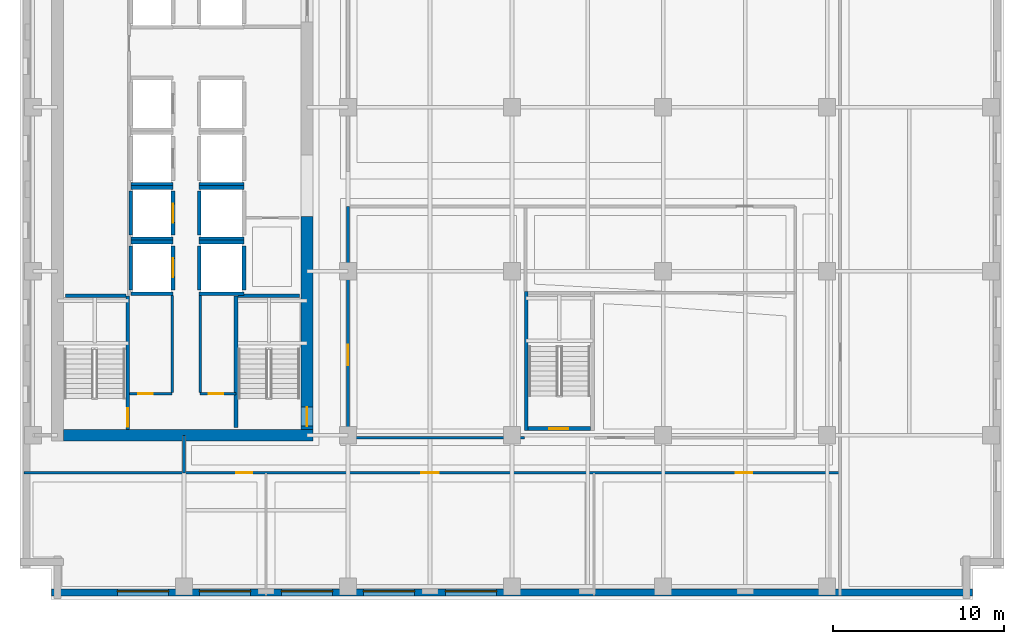
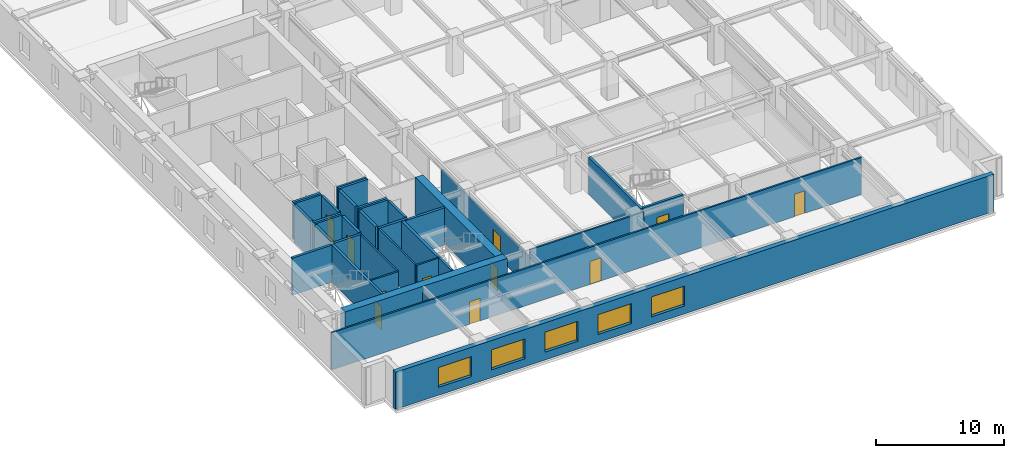
# One storey, part 4 of 12: 34 walls, 11 doors, 5 windows, 16 openings.
"""IFC4 building model written with IfcOpenShell, lengths in metres."""

from ifc_helpers import new_model, si_unit, direction, frame, frame_2d, origin, place, context, subcontext, project, spatial, rectangle, extrude, material, layer, layer_set, type_object, element, fill, save


model = new_model("IFC4")

# Units and contexts
model_context = context("Model", 3, precision=1e-05, world=origin(), true_north=direction((0.0, 1.0)))
body_context = subcontext(model_context, "Body", "Model", "MODEL_VIEW")
ifc_project = project(units=[si_unit("LENGTHUNIT", "METRE"), si_unit("AREAUNIT", "SQUARE_METRE"), si_unit("VOLUMEUNIT", "CUBIC_METRE"), si_unit("PLANEANGLEUNIT", "RADIAN"), si_unit("MASSUNIT", "GRAM", prefix="KILO")], contexts=[model_context])

# Site, building, storey
site_placement = place(None, origin())
site = spatial("IfcSite", under=ifc_project, at=site_placement, CompositionType="ELEMENT")
building_placement = place(site_placement, origin())
building = spatial("IfcBuilding", under=site, at=building_placement, Name="Norrvale University Quadrangle", CompositionType="ELEMENT")
storey_placement = place(building_placement, frame((0.0, 0.0, 139.39990234375)))
storey = spatial("IfcBuildingStorey", under=building, at=storey_placement, Name="L35", CompositionType="ELEMENT", Elevation=139.39990234375)

# Wall, openings, windows
ifc_material_1 = material(Name="Buff Norman Clay Brick Masonry", Category="masonry")
ifc_layer_1 = layer(ifc_material_1, 0.419921875, Name="Buff Norman Clay Brick Masonry")
ifc_layer_set_1 = layer_set([ifc_layer_1], Name="Buff Norman Clay Brick Masonry")
wall_type_1 = type_object("IfcWallType", Name="Wall Buff Brick 420", PredefinedType="SOLIDWALL", material=ifc_layer_set_1)
wall_1_placement = place(storey_placement, frame((1.840087890625, 0.389892578125, 0.0), z_axis=(0.0, 0.0, 1.0), x_axis=(1.0, 0.0, 0.0)))
wall_1 = element("IfcWall", 1, at=wall_1_placement, inside=storey, type_object=wall_type_1, Name="Exterior Brick Facade Wall L35-01.1", PredefinedType="SOLIDWALL", context=body_context, shape_type="SweptSolid", body=[
    extrude(rectangle(XDim=53.919921875, YDim=0.419921875, at=frame_2d((26.9599609375, 0.0))), origin(), (0.0, 0.0, 1.0), 3.5400390625),
])
opening_1_placement = place(wall_1_placement, frame((3.860107421875, 0.0, 0.75)))
opening_1 = element("IfcOpeningElement", 2, at=opening_1_placement, cuts=wall_1, Name="Opening W08", PredefinedType="OPENING", context=body_context, shape_type="SweptSolid", body=[
    extrude(rectangle(XDim=3.0, YDim=1.89990234375, at=frame_2d((1.5, 0.949951171875))), frame((0.0, 0.221923828125, 0.0), z_axis=(0.0, -1.0, 0.0), x_axis=(1.0, 0.0, 0.0)), (0.0, 0.0, 1.0), 0.44384765625),
])
opening_2_placement = place(wall_1_placement, frame((8.659912109375, 0.0, 0.75)))
opening_2 = element("IfcOpeningElement", 3, at=opening_2_placement, cuts=wall_1, Name="Opening W08", PredefinedType="OPENING", context=body_context, shape_type="SweptSolid", body=[
    extrude(rectangle(XDim=3.0, YDim=1.89990234375, at=frame_2d((1.5, 0.949951171875))), frame((0.0, 0.221923828125, 0.0), z_axis=(0.0, -1.0, 0.0), x_axis=(1.0, 0.0, 0.0)), (0.0, 0.0, 1.0), 0.44384765625),
])
opening_3_placement = place(wall_1_placement, frame((13.4599609375, 0.0, 0.75)))
opening_3 = element("IfcOpeningElement", 4, at=opening_3_placement, cuts=wall_1, Name="Opening W08", PredefinedType="OPENING", context=body_context, shape_type="SweptSolid", body=[
    extrude(rectangle(XDim=3.0, YDim=1.89990234375, at=frame_2d((1.5, 0.949951171875))), frame((0.0, 0.221923828125, 0.0), z_axis=(0.0, -1.0, 0.0), x_axis=(1.0, 0.0, 0.0)), (0.0, 0.0, 1.0), 0.44384765625),
])
opening_4_placement = place(wall_1_placement, frame((18.260009765625, 0.0, 0.75)))
opening_4 = element("IfcOpeningElement", 5, at=opening_4_placement, cuts=wall_1, Name="Opening W08", PredefinedType="OPENING", context=body_context, shape_type="SweptSolid", body=[
    extrude(rectangle(XDim=3.0, YDim=1.89990234375, at=frame_2d((1.5, 0.949951171875))), frame((0.0, 0.221923828125, 0.0), z_axis=(0.0, -1.0, 0.0), x_axis=(1.0, 0.0, 0.0)), (0.0, 0.0, 1.0), 0.44384765625),
])
opening_5_placement = place(wall_1_placement, frame((23.06005859375, 0.0, 0.75)))
opening_5 = element("IfcOpeningElement", 6, at=opening_5_placement, cuts=wall_1, Name="Opening W08", PredefinedType="OPENING", context=body_context, shape_type="SweptSolid", body=[
    extrude(rectangle(XDim=3.0, YDim=1.89990234375, at=frame_2d((1.5, 0.949951171875))), frame((0.0, 0.221923828125, 0.0), z_axis=(0.0, -1.0, 0.0), x_axis=(1.0, 0.0, 0.0)), (0.0, 0.0, 1.0), 0.44384765625),
])
ifc_material_2 = material(Name="Triple Low-E Argon Glazing", Category="glass")
window_type = type_object("IfcWindowType", Name="Window Lounge 3000x2500", PartitioningType="TRIPLE_PANEL_VERTICAL", PredefinedType="WINDOW", material=ifc_material_2)
window_1_placement = place(opening_1_placement, origin())
window_1 = element("IfcWindow", 7, at=window_1_placement, inside=storey, type_object=window_type, Name="Window Lounge 3000x2500 WIN-L35-E01-1-01", OverallHeight=1.89990234375, OverallWidth=3.0, PartitioningType="TRIPLE_PANEL_VERTICAL", PredefinedType="WINDOW", context=body_context, shape_type="SweptSolid", body=[
    extrude(rectangle(XDim=3.0, YDim=1.89990234375, at=frame_2d((1.5, 0.949951171875))), frame((0.0, 0.110107421875, 0.0), z_axis=(0.0, -1.0, 0.0), x_axis=(1.0, 0.0, 0.0)), (0.0, 0.0, 1.0), 0.06005859375),
])
fill(opening_1, window_1)
window_2_placement = place(opening_2_placement, origin())
window_2 = element("IfcWindow", 8, at=window_2_placement, inside=storey, type_object=window_type, Name="Window Lounge 3000x2500 WIN-L35-E01-1-02", OverallHeight=1.89990234375, OverallWidth=3.0, PartitioningType="TRIPLE_PANEL_VERTICAL", PredefinedType="WINDOW", context=body_context, shape_type="SweptSolid", body=[
    extrude(rectangle(XDim=3.0, YDim=1.89990234375, at=frame_2d((1.5, 0.949951171875))), frame((0.0, 0.110107421875, 0.0), z_axis=(0.0, -1.0, 0.0), x_axis=(1.0, 0.0, 0.0)), (0.0, 0.0, 1.0), 0.06005859375),
])
fill(opening_2, window_2)
window_3_placement = place(opening_3_placement, origin())
window_3 = element("IfcWindow", 9, at=window_3_placement, inside=storey, type_object=window_type, Name="Window Lounge 3000x2500 WIN-L35-E01-1-03", OverallHeight=1.89990234375, OverallWidth=3.0, PartitioningType="TRIPLE_PANEL_VERTICAL", PredefinedType="WINDOW", context=body_context, shape_type="SweptSolid", body=[
    extrude(rectangle(XDim=3.0, YDim=1.89990234375, at=frame_2d((1.5, 0.949951171875))), frame((0.0, 0.110107421875, 0.0), z_axis=(0.0, -1.0, 0.0), x_axis=(1.0, 0.0, 0.0)), (0.0, 0.0, 1.0), 0.06005859375),
])
fill(opening_3, window_3)
window_4_placement = place(opening_4_placement, origin())
window_4 = element("IfcWindow", 10, at=window_4_placement, inside=storey, type_object=window_type, Name="Window Lounge 3000x2500 WIN-L35-E01-1-04", OverallHeight=1.89990234375, OverallWidth=3.0, PartitioningType="TRIPLE_PANEL_VERTICAL", PredefinedType="WINDOW", context=body_context, shape_type="SweptSolid", body=[
    extrude(rectangle(XDim=3.0, YDim=1.89990234375, at=frame_2d((1.5, 0.949951171875))), frame((0.0, 0.110107421875, 0.0), z_axis=(0.0, -1.0, 0.0), x_axis=(1.0, 0.0, 0.0)), (0.0, 0.0, 1.0), 0.06005859375),
])
fill(opening_4, window_4)
window_5_placement = place(opening_5_placement, origin())
window_5 = element("IfcWindow", 11, at=window_5_placement, inside=storey, type_object=window_type, Name="Window Lounge 3000x2500 WIN-L35-E01-1-05", OverallHeight=1.89990234375, OverallWidth=3.0, PartitioningType="TRIPLE_PANEL_VERTICAL", PredefinedType="WINDOW", context=body_context, shape_type="SweptSolid", body=[
    extrude(rectangle(XDim=3.0, YDim=1.89990234375, at=frame_2d((1.5, 0.949951171875))), frame((0.0, 0.110107421875, 0.0), z_axis=(0.0, -1.0, 0.0), x_axis=(1.0, 0.0, 0.0)), (0.0, 0.0, 1.0), 0.06005859375),
])
fill(opening_5, window_5)

# Wall
ifc_material_3 = material(Name="Concrete C60/75", Category="concrete")
ifc_layer_2 = layer(ifc_material_3, 0.699951171875, Name="Concrete C60/75")
ifc_layer_set_2 = layer_set([ifc_layer_2], Name="Concrete C60/75")
wall_type_2 = type_object("IfcWallType", Name="Wall Core 700", PredefinedType="SHEAR", material=ifc_layer_set_2)
wall_2_placement = place(storey_placement, frame((2.550048828125, 9.60009765625, 0.0), z_axis=(0.0, 0.0, 1.0), x_axis=(1.0, 0.0, 0.0)))
element("IfcWall", 12, at=wall_2_placement, inside=storey, type_object=wall_type_2, Name="Tower Core Shear Wall L35-S", PredefinedType="SHEAR", context=body_context, shape_type="SweptSolid", body=[
    extrude(rectangle(XDim=14.599853515625, YDim=0.699951171875, at=frame_2d((7.2998046875, 0.0))), origin(), (0.0, 0.0, 1.0), 3.5400390625),
])

# Wall, opening, door
wall_3_placement = place(storey_placement, frame((16.800048828125, 9.949951171875, 0.0), z_axis=(0.0, 0.0, 1.0), x_axis=(0.0, 1.0, 0.0)))
wall_3 = element("IfcWall", 13, at=wall_3_placement, inside=storey, type_object=wall_type_2, Name="Tower Core Shear Wall L35-E1", PredefinedType="SHEAR", context=body_context, shape_type="SweptSolid", body=[
    extrude(rectangle(XDim=12.449951171875, YDim=0.699951171875, at=frame_2d((6.22509765625, 0.0))), origin(), (0.0, 0.0, 1.0), 3.5400390625),
])
opening_6_placement = place(wall_3_placement, frame((0.18994140625, 0.0, 0.0)))
opening_6 = element("IfcOpeningElement", 14, at=opening_6_placement, cuts=wall_3, Name="Opening D02", PredefinedType="OPENING", context=body_context, shape_type="SweptSolid", body=[
    extrude(rectangle(XDim=1.10009765625, YDim=2.199951171875, at=frame_2d((0.550048828125, 1.10009765625))), frame((0.0, 0.362060546875, 0.0), z_axis=(0.0, -1.0, 0.0), x_axis=(1.0, 0.0, 0.0)), (0.0, 0.0, 1.0), 0.723876953125),
])
ifc_material_4 = material(Name="Hollow Steel 350W Fire Door", Category="steel")
door_type_1 = type_object("IfcDoorType", Name="Door Stair Exit 1100x2200", OperationType="NOTDEFINED", PredefinedType="DOOR", material=ifc_material_4)
door_1_placement = place(opening_6_placement, origin())
door_1 = element("IfcDoor", 15, at=door_1_placement, inside=storey, type_object=door_type_1, Name="Door Stair Exit 1100x2200 DR-L35-ST03", OperationType="SINGLE_SWING_LEFT", OverallHeight=2.199951171875, OverallWidth=1.10009765625, PredefinedType="DOOR", context=body_context, shape_type="SweptSolid", body=[
    extrude(rectangle(XDim=1.10009765625, YDim=2.199951171875, at=frame_2d((0.550048828125, 1.10009765625))), frame((0.0, 0.02490234375, 0.0), z_axis=(0.0, -1.0, 0.0), x_axis=(1.0, 0.0, 0.0)), (0.0, 0.0, 1.0), 0.050048828125),
])
fill(opening_6, door_1)

ifc_material_5 = material(Name="Fire-Rated Gypsum Stud Partition")
ifc_layer_3 = layer(ifc_material_5, 0.14990234375, Name="Fire-Rated Gypsum Stud Partition")
ifc_layer_set_3 = layer_set([ifc_layer_3], Name="Fire-Rated Gypsum Stud Partition")
wall_type_3 = type_object("IfcWallType", Name="Wall Gypsum Corridor 150", PredefinedType="PARTITIONING", material=ifc_layer_set_3)
wall_4_placement = place(storey_placement, frame((6.419921875, 12.02001953125, 0.0), z_axis=(0.0, 0.0, 1.0), x_axis=(1.0, 0.0, 0.0)))
wall_4 = element("IfcWall", 16, at=wall_4_placement, inside=storey, type_object=wall_type_3, Name="Interior Partition WL-L35-SC-NL", PredefinedType="PARTITIONING", context=body_context, shape_type="SweptSolid", body=[
    extrude(rectangle(XDim=2.47998046875, YDim=0.14990234375, at=frame_2d((1.239990234375, 0.0))), origin(), (0.0, 0.0, 1.0), 3.5400390625),
])
opening_7_placement = place(wall_4_placement, frame((0.5, 0.0, 0.0)))
opening_7 = element("IfcOpeningElement", 17, at=opening_7_placement, cuts=wall_4, Name="Opening D10", PredefinedType="OPENING", context=body_context, shape_type="SweptSolid", body=[
    extrude(rectangle(XDim=0.85009765625, YDim=2.10009765625, at=frame_2d((0.425048828125, 1.050048828125))), frame((0.0, 0.0869140625, 0.0), z_axis=(0.0, -1.0, 0.0), x_axis=(1.0, 0.0, 0.0)), (0.0, 0.0, 1.0), 0.173828125),
])
ifc_material_6 = material(Name="Hollow Steel 350W Riser Fire Door", Category="steel")
door_type_2 = type_object("IfcDoorType", Name="Door Riser 850x2100", OperationType="NOTDEFINED", PredefinedType="DOOR", material=ifc_material_6)
door_2_placement = place(opening_7_placement, origin())
door_2 = element("IfcDoor", 18, at=door_2_placement, inside=storey, type_object=door_type_2, Name="Door Riser 850x2100 DR-L35-ELEC", OperationType="SINGLE_SWING_LEFT", OverallHeight=2.10009765625, OverallWidth=0.85009765625, PredefinedType="DOOR", context=body_context, shape_type="SweptSolid", body=[
    extrude(rectangle(XDim=0.85009765625, YDim=2.10009765625, at=frame_2d((0.425048828125, 1.050048828125))), frame((0.0, 0.02490234375, 0.0), z_axis=(0.0, -1.0, 0.0), x_axis=(1.0, 0.0, 0.0)), (0.0, 0.0, 1.0), 0.050048828125),
])
fill(opening_7, door_2)

wall_5_placement = place(storey_placement, frame((10.550048828125, 12.02001953125, 0.0), z_axis=(0.0, 0.0, 1.0), x_axis=(1.0, 0.0, 0.0)))
wall_5 = element("IfcWall", 19, at=wall_5_placement, inside=storey, type_object=wall_type_3, Name="Interior Partition WL-L35-SC-NR", PredefinedType="PARTITIONING", context=body_context, shape_type="SweptSolid", body=[
    extrude(rectangle(XDim=2.079833984375, YDim=0.14990234375, at=frame_2d((1.0400390625, 0.0))), origin(), (0.0, 0.0, 1.0), 3.5400390625),
])
opening_8_placement = place(wall_5_placement, frame((0.5, 0.0, 0.0)))
opening_8 = element("IfcOpeningElement", 20, at=opening_8_placement, cuts=wall_5, Name="Opening D10", PredefinedType="OPENING", context=body_context, shape_type="SweptSolid", body=[
    extrude(rectangle(XDim=0.85009765625, YDim=2.10009765625, at=frame_2d((0.425048828125, 1.050048828125))), frame((0.0, 0.0869140625, 0.0), z_axis=(0.0, -1.0, 0.0), x_axis=(1.0, 0.0, 0.0)), (0.0, 0.0, 1.0), 0.173828125),
])
door_3_placement = place(opening_8_placement, origin())
door_3 = element("IfcDoor", 21, at=door_3_placement, inside=storey, type_object=door_type_2, Name="Door Riser 850x2100 DR-L35-IDF", OperationType="SINGLE_SWING_RIGHT", OverallHeight=2.10009765625, OverallWidth=0.85009765625, PredefinedType="DOOR", context=body_context, shape_type="SweptSolid", body=[
    extrude(rectangle(XDim=0.85009765625, YDim=2.10009765625, at=frame_2d((0.425048828125, 1.050048828125))), frame((0.0, 0.02490234375, 0.0), z_axis=(0.0, -1.0, 0.0), x_axis=(1.0, 0.0, 0.0)), (0.0, 0.0, 1.0), 0.050048828125),
])
fill(opening_8, door_3)

# Walls
for number, where, z_axis, x_axis, name in (
    (22, (8.89990234375, 12.094970703125, 0.0), (0.0, 0.0, 1.0), (0.0, 1.0, 0.0), "Interior Partition WL-L35-SC-WL"),
    (23, (10.550048828125, 12.094970703125, 0.0), (0.0, 0.0, 1.0), (0.0, 1.0, 0.0), "Interior Partition WL-L35-SC-WR"),
):
    element("IfcWall", number, at=place(storey_placement, frame(where, z_axis=z_axis, x_axis=x_axis)), inside=storey, type_object=wall_type_3, Name=name, PredefinedType="PARTITIONING", context=body_context, shape_type="SweptSolid", body=[
        extrude(rectangle(XDim=5.679931640625, YDim=0.14990234375, at=frame_2d((2.83984375, 0.0))), origin(), (0.0, 0.0, 1.0), 3.5400390625),
    ])
wall_6_placement = place(storey_placement, frame((9.60009765625, 7.39990234375, 0.0), z_axis=(0.0, 0.0, 1.0), x_axis=(0.0, 1.0, 0.0)))
element("IfcWall", 24, at=wall_6_placement, inside=storey, type_object=wall_type_3, Name="Interior Partition WL-L35-CSW-END", PredefinedType="PARTITIONING", context=body_context, shape_type="SweptSolid", body=[
    extrude(rectangle(XDim=2.2001953125, YDim=0.14990234375, at=frame_2d((1.10009765625, 0.0))), origin(), (0.0, 0.0, 1.0), 2.99609375),
])

# Wall, openings, doors
wall_7_placement = place(storey_placement, frame((0.219970703125, 7.39990234375, 0.0), z_axis=(0.0, 0.0, 1.0), x_axis=(1.0, 0.0, 0.0)))
wall_7 = element("IfcWall", 25, at=wall_7_placement, inside=storey, type_object=wall_type_3, Name="Interior Partition WL-L35-SCW", PredefinedType="PARTITIONING", context=body_context, shape_type="SweptSolid", body=[
    extrude(rectangle(XDim=47.780029296875, YDim=0.14990234375, at=frame_2d((23.89013671875, 0.0))), origin(), (0.0, 0.0, 1.0), 3.5400390625),
])
opening_9_placement = place(wall_7_placement, frame((12.429931640625, 0.0, 0.0)))
opening_9 = element("IfcOpeningElement", 26, at=opening_9_placement, cuts=wall_7, Name="Opening D07", PredefinedType="OPENING", context=body_context, shape_type="SweptSolid", body=[
    extrude(rectangle(XDim=0.949951171875, YDim=2.14990234375, at=frame_2d((0.47509765625, 1.074951171875))), frame((0.0, 0.0869140625, 0.0), z_axis=(0.0, -1.0, 0.0), x_axis=(1.0, 0.0, 0.0)), (0.0, 0.0, 1.0), 0.173828125),
])
opening_10_placement = place(wall_7_placement, frame((23.280029296875, 0.0, 0.0)))
opening_10 = element("IfcOpeningElement", 27, at=opening_10_placement, cuts=wall_7, Name="Opening D04", PredefinedType="OPENING", context=body_context, shape_type="SweptSolid", body=[
    extrude(rectangle(XDim=1.0, YDim=2.199951171875, at=frame_2d((0.5, 1.10009765625))), frame((0.0, 0.0869140625, 0.0), z_axis=(0.0, -1.0, 0.0), x_axis=(1.0, 0.0, 0.0)), (0.0, 0.0, 1.0), 0.173828125),
])
opening_11_placement = place(wall_7_placement, frame((41.679931640625, 0.0, 0.0)))
opening_11 = element("IfcOpeningElement", 28, at=opening_11_placement, cuts=wall_7, Name="Opening D07", PredefinedType="OPENING", context=body_context, shape_type="SweptSolid", body=[
    extrude(rectangle(XDim=0.949951171875, YDim=2.14990234375, at=frame_2d((0.47509765625, 1.074951171875))), frame((0.0, 0.0869140625, 0.0), z_axis=(0.0, -1.0, 0.0), x_axis=(1.0, 0.0, 0.0)), (0.0, 0.0, 1.0), 0.173828125),
])
ifc_material_7 = material(Name="Solid-Core Oak Fire Door", Category="wood")
door_type_3 = type_object("IfcDoorType", Name="Door Corridor 1000x2200", OperationType="NOTDEFINED", PredefinedType="DOOR", material=ifc_material_7)
door_4_placement = place(opening_10_placement, origin())
door_4 = element("IfcDoor", 29, at=door_4_placement, inside=storey, type_object=door_type_3, Name="Door Corridor 1000x2200 DR-L35-S02", OperationType="SINGLE_SWING_RIGHT", OverallHeight=2.199951171875, OverallWidth=1.0, PredefinedType="DOOR", context=body_context, shape_type="SweptSolid", body=[
    extrude(rectangle(XDim=1.0, YDim=2.199951171875, at=frame_2d((0.5, 1.10009765625))), frame((0.0, 0.02490234375, 0.0), z_axis=(0.0, -1.0, 0.0), x_axis=(1.0, 0.0, 0.0)), (0.0, 0.0, 1.0), 0.050048828125),
])
fill(opening_10, door_4)
ifc_material_8 = material(Name="Solid-Core Maple Door", Category="wood")
door_type_4 = type_object("IfcDoorType", Name="Door Office 950x2150", OperationType="NOTDEFINED", PredefinedType="DOOR", material=ifc_material_8)
door_5_placement = place(opening_9_placement, origin())
door_5 = element("IfcDoor", 30, at=door_5_placement, inside=storey, type_object=door_type_4, Name="Door Office 950x2150 DR-L35-S01", OperationType="SINGLE_SWING_LEFT", OverallHeight=2.14990234375, OverallWidth=0.949951171875, PredefinedType="DOOR", context=body_context, shape_type="SweptSolid", body=[
    extrude(rectangle(XDim=0.949951171875, YDim=2.14990234375, at=frame_2d((0.47509765625, 1.074951171875))), frame((0.0, 0.02490234375, 0.0), z_axis=(0.0, -1.0, 0.0), x_axis=(1.0, 0.0, 0.0)), (0.0, 0.0, 1.0), 0.050048828125),
])
fill(opening_9, door_5)
door_6_placement = place(opening_11_placement, origin())
door_6 = element("IfcDoor", 31, at=door_6_placement, inside=storey, type_object=door_type_4, Name="Door Office 950x2150 DR-L35-S03", OperationType="SINGLE_SWING_LEFT", OverallHeight=2.14990234375, OverallWidth=0.949951171875, PredefinedType="DOOR", context=body_context, shape_type="SweptSolid", body=[
    extrude(rectangle(XDim=0.949951171875, YDim=2.14990234375, at=frame_2d((0.47509765625, 1.074951171875))), frame((0.0, 0.02490234375, 0.0), z_axis=(0.0, -1.0, 0.0), x_axis=(1.0, 0.0, 0.0)), (0.0, 0.0, 1.0), 0.050048828125),
])
fill(opening_11, door_6)

# Wall, opening, door
wall_8_placement = place(storey_placement, frame((19.199951171875, 9.449951171875, 0.0), z_axis=(0.0, 0.0, 1.0), x_axis=(0.0, 1.0, 0.0)))
wall_8 = element("IfcWall", 32, at=wall_8_placement, inside=storey, type_object=wall_type_3, Name="Interior Partition WL-L35-ISLW", PredefinedType="PARTITIONING", context=body_context, shape_type="SweptSolid", body=[
    extrude(rectangle(XDim=13.550048828125, YDim=0.14990234375, at=frame_2d((6.77490234375, 0.0))), origin(), (0.0, 0.0, 1.0), 2.99609375),
])
opening_12_placement = place(wall_8_placement, frame((4.25, 0.0, 0.0)))
opening_12 = element("IfcOpeningElement", 33, at=opening_12_placement, cuts=wall_8, Name="Opening D05", PredefinedType="OPENING", context=body_context, shape_type="SweptSolid", body=[
    extrude(rectangle(XDim=1.199951171875, YDim=2.199951171875, at=frame_2d((0.60009765625, 1.10009765625))), frame((0.0, 0.0869140625, 0.0), z_axis=(0.0, -1.0, 0.0), x_axis=(1.0, 0.0, 0.0)), (0.0, 0.0, 1.0), 0.173828125),
])
ifc_material_9 = material(Name="Acoustic Oak Classroom Door", Category="wood")
door_type_5 = type_object("IfcDoorType", Name="Door Classroom 1200x2200", OperationType="NOTDEFINED", PredefinedType="DOOR", material=ifc_material_9)
door_7_placement = place(opening_12_placement, origin())
door_7 = element("IfcDoor", 34, at=door_7_placement, inside=storey, type_object=door_type_5, Name="Door Classroom 1200x2200 DR-L35-IW1", OperationType="SINGLE_SWING_LEFT", OverallHeight=2.199951171875, OverallWidth=1.199951171875, PredefinedType="DOOR", context=body_context, shape_type="SweptSolid", body=[
    extrude(rectangle(XDim=1.199951171875, YDim=2.199951171875, at=frame_2d((0.60009765625, 1.10009765625))), frame((0.0, 0.02490234375, 0.0), z_axis=(0.0, -1.0, 0.0), x_axis=(1.0, 0.0, 0.0)), (0.0, 0.0, 1.0), 0.050048828125),
])
fill(opening_12, door_7)

# Wall
wall_9_placement = place(storey_placement, frame((19.280029296875, 9.449951171875, 0.0), z_axis=(0.0, 0.0, 1.0), x_axis=(1.0, 0.0, 0.0)))
element("IfcWall", 35, at=wall_9_placement, inside=storey, type_object=wall_type_3, Name="Interior Partition WL-L35-ISLS1", PredefinedType="PARTITIONING", context=body_context, shape_type="SweptSolid", body=[
    extrude(rectangle(XDim=10.244873046875, YDim=0.14990234375, at=frame_2d((5.12255859375, 0.0))), origin(), (0.0, 0.0, 1.0), 3.5400390625),
])

# Wall, opening, door
ifc_material_10 = material(Name="Concrete Blockwork 20 MPa Fire Shaft", Category="masonry")
ifc_layer_4 = layer(ifc_material_10, 0.219970703125, Name="Concrete Blockwork 20 MPa Fire Shaft")
ifc_layer_set_4 = layer_set([ifc_layer_4], Name="Concrete Blockwork 20 MPa Fire Shaft")
wall_type_4 = type_object("IfcWallType", Name="Wall Shaft 220", PredefinedType="SOLIDWALL", material=ifc_layer_set_4)
wall_10_placement = place(storey_placement, frame((6.31005859375, 9.949951171875, 0.0), z_axis=(0.0, 0.0, 1.0), x_axis=(0.0, 1.0, 0.0)))
wall_10 = element("IfcWall", 36, at=wall_10_placement, inside=storey, type_object=wall_type_4, Name="Stair ST-01 East Shaft Wall L35", PredefinedType="SOLIDWALL", context=body_context, shape_type="SweptSolid", body=[
    extrude(rectangle(XDim=7.81005859375, YDim=0.219970703125, at=frame_2d((3.905029296875, 0.0))), origin(), (0.0, 0.0, 1.0), 3.5400390625),
])
opening_13_placement = place(wall_10_placement, frame((0.139892578125, 0.0, 0.0)))
opening_13 = element("IfcOpeningElement", 37, at=opening_13_placement, cuts=wall_10, Name="Opening D02", PredefinedType="OPENING", context=body_context, shape_type="SweptSolid", body=[
    extrude(rectangle(XDim=1.10009765625, YDim=2.199951171875, at=frame_2d((0.550048828125, 1.10009765625))), frame((0.0, 0.1220703125, 0.0), z_axis=(0.0, -1.0, 0.0), x_axis=(1.0, 0.0, 0.0)), (0.0, 0.0, 1.0), 0.243896484375),
])
door_8_placement = place(opening_13_placement, origin())
door_8 = element("IfcDoor", 38, at=door_8_placement, inside=storey, type_object=door_type_1, Name="Door Stair Exit 1100x2200 DR-L35-ST01", OperationType="SINGLE_SWING_LEFT", OverallHeight=2.199951171875, OverallWidth=1.10009765625, PredefinedType="DOOR", context=body_context, shape_type="SweptSolid", body=[
    extrude(rectangle(XDim=1.10009765625, YDim=2.199951171875, at=frame_2d((0.550048828125, 1.10009765625))), frame((0.0, 0.02490234375, 0.0), z_axis=(0.0, -1.0, 0.0), x_axis=(1.0, 0.0, 0.0)), (0.0, 0.0, 1.0), 0.050048828125),
])
fill(opening_13, door_8)

# Walls
wall_11_placement = place(storey_placement, frame((2.64990234375, 17.760009765625, 0.0), z_axis=(0.0, 0.0, 1.0), x_axis=(1.0, 0.0, 0.0)))
element("IfcWall", 39, at=wall_11_placement, inside=storey, type_object=wall_type_4, Name="Stair ST-01 North Shaft Wall L35", PredefinedType="SOLIDWALL", context=body_context, shape_type="SweptSolid", body=[
    extrude(rectangle(XDim=3.550048828125, YDim=0.219970703125, at=frame_2d((1.77490234375, 0.0))), origin(), (0.0, 0.0, 1.0), 3.5400390625),
])
wall_12_placement = place(storey_placement, frame((12.639892578125, 10.050048828125, 0.0), z_axis=(0.0, 0.0, 1.0), x_axis=(0.0, 1.0, 0.0)))
element("IfcWall", 40, at=wall_12_placement, inside=storey, type_object=wall_type_4, Name="Stair ST-03 West Shaft Wall L35", PredefinedType="SOLIDWALL", context=body_context, shape_type="SweptSolid", body=[
    extrude(rectangle(XDim=7.7099609375, YDim=0.219970703125, at=frame_2d((3.85498046875, 0.0))), origin(), (0.0, 0.0, 1.0), 3.5400390625),
])
wall_13_placement = place(storey_placement, frame((12.75, 17.760009765625, 0.0), z_axis=(0.0, 0.0, 1.0), x_axis=(1.0, 0.0, 0.0)))
element("IfcWall", 41, at=wall_13_placement, inside=storey, type_object=wall_type_4, Name="Stair ST-03 North Shaft Wall L35", PredefinedType="SOLIDWALL", context=body_context, shape_type="SweptSolid", body=[
    extrude(rectangle(XDim=3.60009765625, YDim=0.219970703125, at=frame_2d((1.800048828125, 0.0))), origin(), (0.0, 0.0, 1.0), 3.5400390625),
])

# Wall, opening, door
wall_14_placement = place(storey_placement, frame((29.75, 9.989990234375, 0.0), z_axis=(0.0, 0.0, 1.0), x_axis=(1.0, 0.0, 0.0)))
wall_14 = element("IfcWall", 42, at=wall_14_placement, inside=storey, type_object=wall_type_4, Name="Stair ST-04 South Shaft Wall L35", PredefinedType="SOLIDWALL", context=body_context, shape_type="SweptSolid", body=[
    extrude(rectangle(XDim=3.64990234375, YDim=0.219970703125, at=frame_2d((1.824951171875, 0.0))), origin(), (0.0, 0.0, 1.0), 3.5400390625),
])
opening_14_placement = place(wall_14_placement, frame((1.239990234375, 0.0, 0.0)))
opening_14 = element("IfcOpeningElement", 43, at=opening_14_placement, cuts=wall_14, Name="Opening D02", PredefinedType="OPENING", context=body_context, shape_type="SweptSolid", body=[
    extrude(rectangle(XDim=1.10009765625, YDim=2.199951171875, at=frame_2d((0.550048828125, 1.10009765625))), frame((0.0, 0.1220703125, 0.0), z_axis=(0.0, -1.0, 0.0), x_axis=(1.0, 0.0, 0.0)), (0.0, 0.0, 1.0), 0.243896484375),
])
door_9_placement = place(opening_14_placement, origin())
door_9 = element("IfcDoor", 44, at=door_9_placement, inside=storey, type_object=door_type_1, Name="Door Stair Exit 1100x2200 DR-L35-ST04", OperationType="SINGLE_SWING_LEFT", OverallHeight=2.199951171875, OverallWidth=1.10009765625, PredefinedType="DOOR", context=body_context, shape_type="SweptSolid", body=[
    extrude(rectangle(XDim=1.10009765625, YDim=2.199951171875, at=frame_2d((0.550048828125, 1.10009765625))), frame((0.0, 0.02490234375, 0.0), z_axis=(0.0, -1.0, 0.0), x_axis=(1.0, 0.0, 0.0)), (0.0, 0.0, 1.0), 0.050048828125),
])
fill(opening_14, door_9)

# Walls
wall_15_placement = place(storey_placement, frame((29.639892578125, 9.8798828125, 0.0), z_axis=(0.0, 0.0, 1.0), x_axis=(0.0, 1.0, 0.0)))
element("IfcWall", 45, at=wall_15_placement, inside=storey, type_object=wall_type_4, Name="Stair ST-04 West Shaft Wall L35", PredefinedType="SOLIDWALL", context=body_context, shape_type="SweptSolid", body=[
    extrude(rectangle(XDim=8.14013671875, YDim=0.219970703125, at=frame_2d((4.070068359375, 0.0))), origin(), (0.0, 0.0, 1.0), 3.5400390625),
])
wall_16_placement = place(storey_placement, frame((6.489990234375, 18.110107421875, 0.0), z_axis=(0.0, 0.0, 1.0), x_axis=(0.0, 1.0, 0.0)))
element("IfcWall", 46, at=wall_16_placement, inside=storey, type_object=wall_type_4, Name="Hoistway PL-01 West Wall L35", PredefinedType="SOLIDWALL", context=body_context, shape_type="SweptSolid", body=[
    extrude(rectangle(XDim=2.579833984375, YDim=0.219970703125, at=frame_2d((1.2900390625, 0.0))), origin(), (0.0, 0.0, 1.0), 3.5400390625),
])

# Wall, opening, door
wall_17_placement = place(storey_placement, frame((8.9599609375, 18.110107421875, 0.0), z_axis=(0.0, 0.0, 1.0), x_axis=(0.0, 1.0, 0.0)))
wall_17 = element("IfcWall", 47, at=wall_17_placement, inside=storey, type_object=wall_type_4, Name="Hoistway PL-01 East Wall L35", PredefinedType="SOLIDWALL", context=body_context, shape_type="SweptSolid", body=[
    extrude(rectangle(XDim=2.579833984375, YDim=0.219970703125, at=frame_2d((1.2900390625, 0.0))), origin(), (0.0, 0.0, 1.0), 3.5400390625),
])
opening_15_placement = place(wall_17_placement, frame((0.739990234375, 0.0, 0.0)))
opening_15 = element("IfcOpeningElement", 48, at=opening_15_placement, cuts=wall_17, Name="Opening LD1", PredefinedType="OPENING", context=body_context, shape_type="SweptSolid", body=[
    extrude(rectangle(XDim=1.10009765625, YDim=2.199951171875, at=frame_2d((0.550048828125, 1.10009765625))), frame((0.0, 0.1220703125, 0.0), z_axis=(0.0, -1.0, 0.0), x_axis=(1.0, 0.0, 0.0)), (0.0, 0.0, 1.0), 0.243896484375),
])
ifc_material_11 = material(Name="Stainless Steel 316L Lift Landing Door", Category="steel")
door_type_6 = type_object("IfcDoorType", Name="Door Lift Landing 1100x2200", OperationType="DOUBLE_DOOR_SLIDING", PredefinedType="DOOR", material=ifc_material_11)
door_10_placement = place(opening_15_placement, origin())
door_10 = element("IfcDoor", 49, at=door_10_placement, inside=storey, type_object=door_type_6, Name="Elevator Landing Door DR-L35-PL-01", OperationType="DOUBLE_DOOR_SLIDING", OverallHeight=2.199951171875, OverallWidth=1.10009765625, PredefinedType="DOOR", context=body_context, shape_type="SweptSolid", body=[
    extrude(rectangle(XDim=1.10009765625, YDim=2.199951171875, at=frame_2d((0.550048828125, 1.10009765625))), frame((0.0, 0.02490234375, 0.0), z_axis=(0.0, -1.0, 0.0), x_axis=(1.0, 0.0, 0.0)), (0.0, 0.0, 1.0), 0.050048828125),
])
fill(opening_15, door_10)

# Walls
for number, where, z_axis, x_axis, name in (
    (50, (6.489990234375, 17.889892578125, 0.0), (0.0, 0.0, 1.0), (1.0, 0.0, 0.0), "Hoistway PL-01 South Wall L35"),
    (51, (6.489990234375, 20.909912109375, 0.0), (0.0, 0.0, 1.0), (1.0, 0.0, 0.0), "Hoistway PL-01 North Wall L35"),
):
    element("IfcWall", number, at=place(storey_placement, frame(where, z_axis=z_axis, x_axis=x_axis)), inside=storey, type_object=wall_type_4, Name=name, PredefinedType="SOLIDWALL", context=body_context, shape_type="SweptSolid", body=[
        extrude(rectangle(XDim=2.469970703125, YDim=0.219970703125, at=frame_2d((1.23486328125, 0.0))), origin(), (0.0, 0.0, 1.0), 3.5400390625),
    ])
wall_18_placement = place(storey_placement, frame((6.489990234375, 21.31005859375, 0.0), z_axis=(0.0, 0.0, 1.0), x_axis=(0.0, 1.0, 0.0)))
element("IfcWall", 52, at=wall_18_placement, inside=storey, type_object=wall_type_4, Name="Hoistway PL-02 West Wall L35", PredefinedType="SOLIDWALL", context=body_context, shape_type="SweptSolid", body=[
    extrude(rectangle(XDim=2.579833984375, YDim=0.219970703125, at=frame_2d((1.2900390625, 0.0))), origin(), (0.0, 0.0, 1.0), 3.5400390625),
])

# Wall, opening, door
wall_19_placement = place(storey_placement, frame((8.9599609375, 21.31005859375, 0.0), z_axis=(0.0, 0.0, 1.0), x_axis=(0.0, 1.0, 0.0)))
wall_19 = element("IfcWall", 53, at=wall_19_placement, inside=storey, type_object=wall_type_4, Name="Hoistway PL-02 East Wall L35", PredefinedType="SOLIDWALL", context=body_context, shape_type="SweptSolid", body=[
    extrude(rectangle(XDim=2.579833984375, YDim=0.219970703125, at=frame_2d((1.2900390625, 0.0))), origin(), (0.0, 0.0, 1.0), 3.5400390625),
])
opening_16_placement = place(wall_19_placement, frame((0.739990234375, 0.0, 0.0)))
opening_16 = element("IfcOpeningElement", 54, at=opening_16_placement, cuts=wall_19, Name="Opening LD1", PredefinedType="OPENING", context=body_context, shape_type="SweptSolid", body=[
    extrude(rectangle(XDim=1.10009765625, YDim=2.199951171875, at=frame_2d((0.550048828125, 1.10009765625))), frame((0.0, 0.1220703125, 0.0), z_axis=(0.0, -1.0, 0.0), x_axis=(1.0, 0.0, 0.0)), (0.0, 0.0, 1.0), 0.243896484375),
])
door_11_placement = place(opening_16_placement, origin())
door_11 = element("IfcDoor", 55, at=door_11_placement, inside=storey, type_object=door_type_6, Name="Elevator Landing Door DR-L35-PL-02", OperationType="DOUBLE_DOOR_SLIDING", OverallHeight=2.199951171875, OverallWidth=1.10009765625, PredefinedType="DOOR", context=body_context, shape_type="SweptSolid", body=[
    extrude(rectangle(XDim=1.10009765625, YDim=2.199951171875, at=frame_2d((0.550048828125, 1.10009765625))), frame((0.0, 0.02490234375, 0.0), z_axis=(0.0, -1.0, 0.0), x_axis=(1.0, 0.0, 0.0)), (0.0, 0.0, 1.0), 0.050048828125),
])
fill(opening_16, door_11)

# Walls
for number, where, z_axis, x_axis, name in (
    (56, (6.489990234375, 21.090087890625, 0.0), (0.0, 0.0, 1.0), (1.0, 0.0, 0.0), "Hoistway PL-02 South Wall L35"),
    (57, (6.489990234375, 24.110107421875, 0.0), (0.0, 0.0, 1.0), (1.0, 0.0, 0.0), "Hoistway PL-02 North Wall L35"),
    (58, (6.489990234375, 24.2900390625, 0.0), (0.0, 0.0, 1.0), (1.0, 0.0, 0.0), "Hoistway PL-03 South Wall L35"),
):
    element("IfcWall", number, at=place(storey_placement, frame(where, z_axis=z_axis, x_axis=x_axis)), inside=storey, type_object=wall_type_4, Name=name, PredefinedType="SOLIDWALL", context=body_context, shape_type="SweptSolid", body=[
        extrude(rectangle(XDim=2.469970703125, YDim=0.219970703125, at=frame_2d((1.23486328125, 0.0))), origin(), (0.0, 0.0, 1.0), 3.5400390625),
    ])
for number, where, z_axis, x_axis, name in (
    (59, (10.489990234375, 18.110107421875, 0.0), (0.0, 0.0, 1.0), (0.0, 1.0, 0.0), "Hoistway PL-05 West Wall L35"),
    (60, (13.110107421875, 18.110107421875, 0.0), (0.0, 0.0, 1.0), (0.0, 1.0, 0.0), "Hoistway PL-05 East Wall L35"),
):
    element("IfcWall", number, at=place(storey_placement, frame(where, z_axis=z_axis, x_axis=x_axis)), inside=storey, type_object=wall_type_4, Name=name, PredefinedType="SOLIDWALL", context=body_context, shape_type="SweptSolid", body=[
        extrude(rectangle(XDim=2.579833984375, YDim=0.219970703125, at=frame_2d((1.2900390625, 0.0))), origin(), (0.0, 0.0, 1.0), 3.5400390625),
    ])
for number, where, z_axis, x_axis, name in (
    (61, (10.489990234375, 17.889892578125, 0.0), (0.0, 0.0, 1.0), (1.0, 0.0, 0.0), "Hoistway PL-05 South Wall L35"),
    (62, (10.489990234375, 20.909912109375, 0.0), (0.0, 0.0, 1.0), (1.0, 0.0, 0.0), "Hoistway PL-05 North Wall L35"),
):
    element("IfcWall", number, at=place(storey_placement, frame(where, z_axis=z_axis, x_axis=x_axis)), inside=storey, type_object=wall_type_4, Name=name, PredefinedType="SOLIDWALL", context=body_context, shape_type="SweptSolid", body=[
        extrude(rectangle(XDim=2.6201171875, YDim=0.219970703125, at=frame_2d((1.31005859375, 0.0))), origin(), (0.0, 0.0, 1.0), 3.5400390625),
    ])
wall_20_placement = place(storey_placement, frame((10.489990234375, 21.31005859375, 0.0), z_axis=(0.0, 0.0, 1.0), x_axis=(0.0, 1.0, 0.0)))
element("IfcWall", 63, at=wall_20_placement, inside=storey, type_object=wall_type_4, Name="Hoistway PL-06 West Wall L35", PredefinedType="SOLIDWALL", context=body_context, shape_type="SweptSolid", body=[
    extrude(rectangle(XDim=2.579833984375, YDim=0.219970703125, at=frame_2d((1.2900390625, 0.0))), origin(), (0.0, 0.0, 1.0), 3.5400390625),
])
for number, where, z_axis, x_axis, name in (
    (64, (10.489990234375, 21.090087890625, 0.0), (0.0, 0.0, 1.0), (1.0, 0.0, 0.0), "Hoistway PL-06 South Wall L35"),
    (65, (10.489990234375, 24.110107421875, 0.0), (0.0, 0.0, 1.0), (1.0, 0.0, 0.0), "Hoistway PL-06 North Wall L35"),
    (66, (10.489990234375, 24.2900390625, 0.0), (0.0, 0.0, 1.0), (1.0, 0.0, 0.0), "Hoistway PL-07 South Wall L35"),
):
    element("IfcWall", number, at=place(storey_placement, frame(where, z_axis=z_axis, x_axis=x_axis)), inside=storey, type_object=wall_type_4, Name=name, PredefinedType="SOLIDWALL", context=body_context, shape_type="SweptSolid", body=[
        extrude(rectangle(XDim=2.6201171875, YDim=0.219970703125, at=frame_2d((1.31005859375, 0.0))), origin(), (0.0, 0.0, 1.0), 3.5400390625),
    ])

save(model, "model.ifc")
